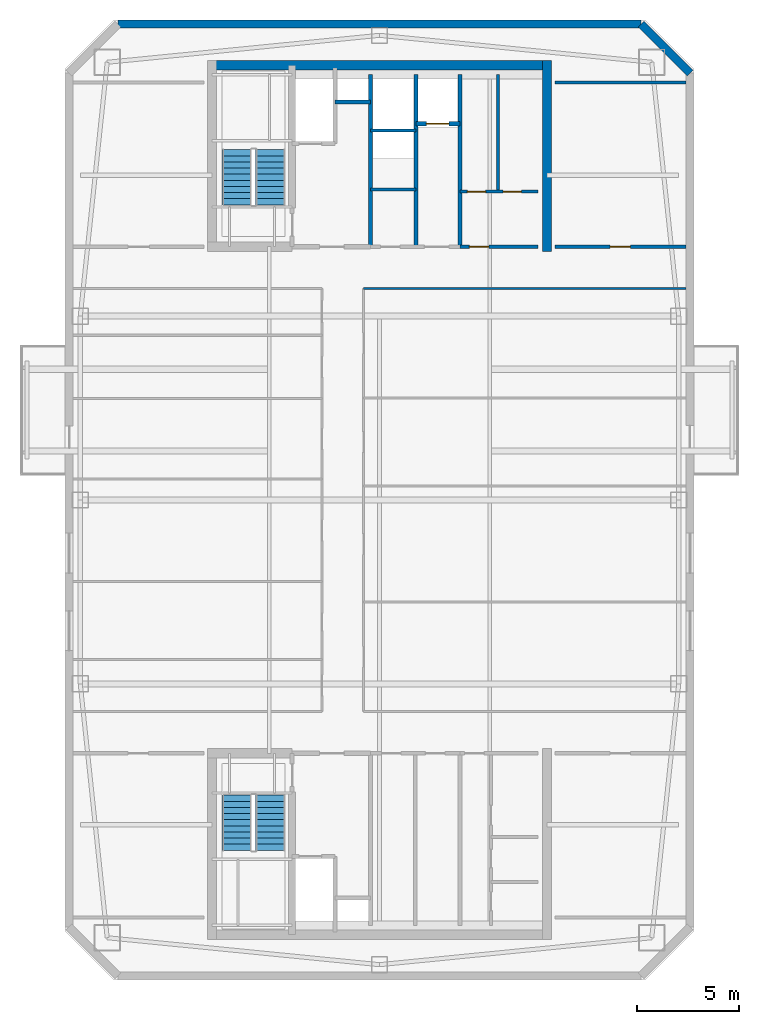
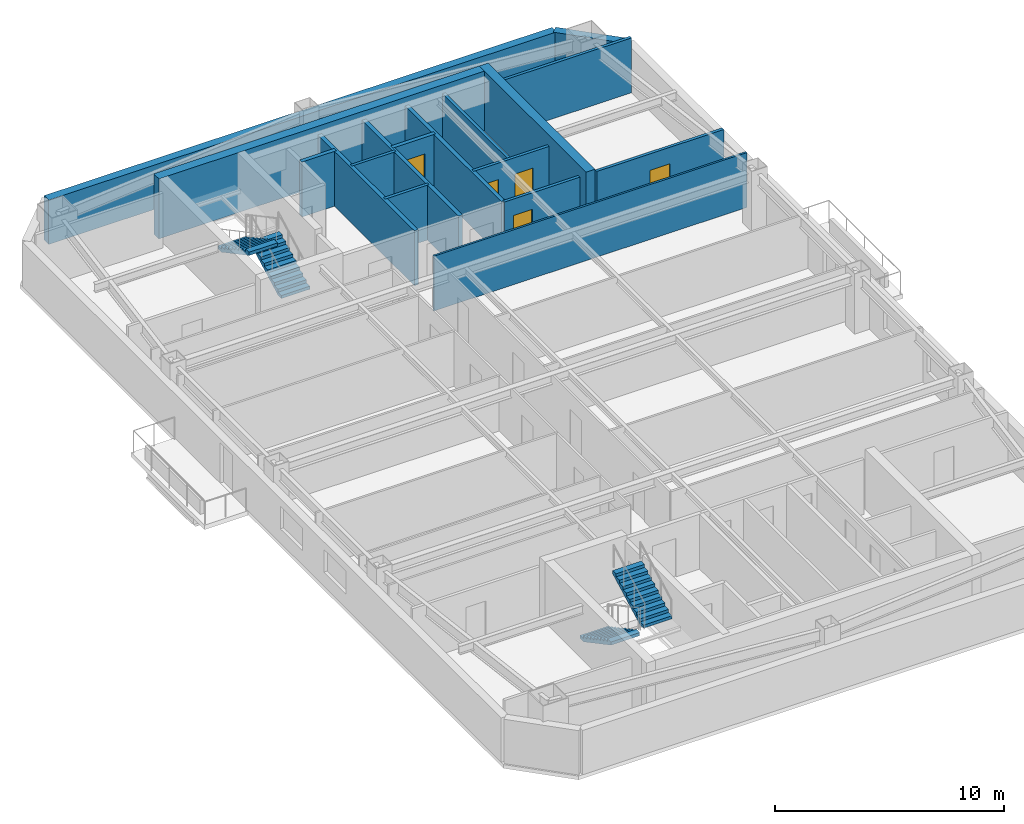
# One storey, part 4 of 6: 17 walls, 5 doors, 4 stair flights, 5 openings, 2 elements without a shape of their own.
"""IFC4 building model written with IfcOpenShell, lengths in metres."""

from ifc_helpers import new_model, si_unit, direction, frame, frame_2d, origin, place, context, subcontext, project, spatial, polyline, rectangle, outline, extrude, material, layer, layer_set, type_object, element, fill, aggregate, save


model = new_model("IFC4")

# Units and contexts
model_context = context("Model", 3, precision=1e-05, world=origin(), true_north=direction((0.0, 1.0)))
body_context = subcontext(model_context, "Body", "Model", "MODEL_VIEW")
ifc_project = project(units=[si_unit("LENGTHUNIT", "METRE"), si_unit("AREAUNIT", "SQUARE_METRE"), si_unit("VOLUMEUNIT", "CUBIC_METRE"), si_unit("PLANEANGLEUNIT", "RADIAN"), si_unit("MASSUNIT", "GRAM", prefix="KILO")], contexts=[model_context])

# Site, building, storey
site_placement = place(None, origin())
site = spatial("IfcSite", under=ifc_project, at=site_placement, CompositionType="ELEMENT")
building_placement = place(site_placement, origin())
building = spatial("IfcBuilding", under=site, at=building_placement, Name="Qiaolan Cultural Towers", CompositionType="ELEMENT")
storey_placement = place(building_placement, frame((0.0, 0.0, 260.0)))
storey = spatial("IfcBuildingStorey", under=building, at=storey_placement, Name="L71", CompositionType="ELEMENT", Elevation=260.0)

# Walls
ifc_material_1 = material(Name="Concrete C50", Category="concrete")
ifc_layer_1 = layer(ifc_material_1, 0.449951171875)
ifc_layer_set_1 = layer_set([ifc_layer_1], Name="Concrete C50")
wall_type_1 = type_object("IfcWallType", Name="WL-CORE-450", PredefinedType="SHEAR", material=ifc_layer_set_1)
wall_1_placement = place(storey_placement, frame((21.574951171875, 55.280029296875, 0.0), z_axis=(0.0, 0.0, 1.0), x_axis=(1.0, 0.0, 0.0)))
element("IfcWall", 1, at=wall_1_placement, inside=storey, type_object=wall_type_1, Name="L71 T1-CN Outer Core Shear Wall", PredefinedType="SHEAR", context=body_context, shape_type="SweptSolid", body=[
    extrude(rectangle(XDim=16.85009765625, YDim=0.449951171875, at=frame_2d((8.425048828125, 0.0))), origin(), (0.0, 0.0, 1.0), 3.199951171875),
])
wall_2_placement = place(storey_placement, frame((38.199951171875, 46.175048828125, 0.0), z_axis=(0.0, 0.0, 1.0), x_axis=(0.0, 1.0, 0.0)))
element("IfcWall", 2, at=wall_2_placement, inside=storey, type_object=wall_type_1, Name="L71 T1-CN East Core Shear Wall", PredefinedType="SHEAR", context=body_context, shape_type="SweptSolid", body=[
    extrude(rectangle(XDim=9.329833984375, YDim=0.449951171875, at=frame_2d((4.6650390625, 0.0))), origin(), (0.0, 0.0, 1.0), 3.199951171875),
])
ifc_material_2 = material(Name="Precast Concrete C50 Honed Stone Pier", Category="masonry")
ifc_layer_2 = layer(ifc_material_2, 0.39990234375)
ifc_layer_set_2 = layer_set([ifc_layer_2], Name="Precast Concrete C50 Honed Stone Pier")
wall_type_2 = type_object("IfcWallType", Name="WL-EXT-PIER-400", PredefinedType="SOLIDWALL", material=ifc_layer_set_2)
wall_3_placement = place(storey_placement, frame((17.199951171875, 57.300048828125, 0.0), z_axis=(0.0, 0.0, 1.0), x_axis=(1.0, 0.0, 0.0)))
element("IfcWall", 3, at=wall_3_placement, inside=storey, type_object=wall_type_2, Name="L71 West Tower Precast Pier Facade Wall F3", PredefinedType="SOLIDWALL", context=body_context, shape_type="SweptSolid", body=[
    extrude(rectangle(XDim=25.60009765625, YDim=0.39990234375, at=frame_2d((12.800048828125, 0.0))), origin(), (0.0, 0.0, 1.0), 2.360107421875),
])
wall_4_placement = place(storey_placement, frame((42.800048828125, 57.300048828125, 0.0), z_axis=(0.0, 0.0, 1.0), x_axis=(0.707070815327, -0.707142745217, 0.0)))
element("IfcWall", 4, at=wall_4_placement, inside=storey, type_object=wall_type_2, Name="L71 West Tower Precast Pier Facade Wall F4", PredefinedType="SOLIDWALL", context=body_context, shape_type="SweptSolid", body=[
    extrude(rectangle(XDim=3.39404296875, YDim=0.39990234375, at=frame_2d((1.697021484375, 0.0))), origin(), (0.0, 0.0, 1.0), 2.360107421875),
])
ifc_material_3 = material(Name="Concrete C35 Fire Wall", Category="concrete")
ifc_layer_3 = layer(ifc_material_3, 0.199951171875)
ifc_layer_set_3 = layer_set([ifc_layer_3], Name="Concrete C35 Fire Wall")
wall_type_3 = type_object("IfcWallType", Name="WL-FIRE-200", PredefinedType="PARTITIONING", material=ifc_layer_set_3)
wall_5_placement = place(storey_placement, frame((29.550048828125, 46.39990234375, 0.0), z_axis=(0.0, 0.0, 1.0), x_axis=(0.0, 1.0, 0.0)))
element("IfcWall", 5, at=wall_5_placement, inside=storey, type_object=wall_type_3, Name="L71 T1-CN Firefighting Zone Wall", PredefinedType="PARTITIONING", context=body_context, shape_type="SweptSolid", body=[
    extrude(rectangle(XDim=8.43017578125, YDim=0.199951171875, at=frame_2d((4.215087890625, 0.0))), origin(), (0.0, 0.0, 1.0), 2.925048828125),
])
wall_6_placement = place(storey_placement, frame((27.820068359375, 53.47998046875, 0.0), z_axis=(0.0, 0.0, 1.0), x_axis=(1.0, 0.0, 0.0)))
element("IfcWall", 6, at=wall_6_placement, inside=storey, type_object=wall_type_3, Name="L71 T1-CN Pressurization Shaft Front Wall", PredefinedType="PARTITIONING", context=body_context, shape_type="SweptSolid", body=[
    extrude(rectangle(XDim=1.72998046875, YDim=0.199951171875, at=frame_2d((0.864990234375, 0.0))), origin(), (0.0, 0.0, 1.0), 2.925048828125),
])
for number, where, z_axis, x_axis, name in (
    (7, (33.949951171875, 46.39990234375, 0.0), (0.0, 0.0, 1.0), (0.0, 1.0, 0.0), "L71 T1-CN Lift Core East Wall"),
    (8, (31.780029296875, 46.39990234375, 0.0), (0.0, 0.0, 1.0), (0.0, 1.0, 0.0), "L71 T1-CN Sky Shuttle Lift Zone Wall"),
):
    element("IfcWall", number, at=place(storey_placement, frame(where, z_axis=z_axis, x_axis=x_axis)), inside=storey, type_object=wall_type_3, Name=name, PredefinedType="PARTITIONING", context=body_context, shape_type="SweptSolid", body=[
        extrude(rectangle(XDim=8.43017578125, YDim=0.199951171875, at=frame_2d((4.215087890625, 0.0))), origin(), (0.0, 0.0, 1.0), 2.925048828125),
    ])

# Wall, opening, door
wall_7_placement = place(storey_placement, frame((31.780029296875, 52.419921875, 0.0), z_axis=(0.0, 0.0, 1.0), x_axis=(1.0, 0.0, 0.0)))
wall_7 = element("IfcWall", 9, at=wall_7_placement, inside=storey, type_object=wall_type_3, Name="L71 T1-CN Shuttle Lift Shaft Front", PredefinedType="PARTITIONING", context=body_context, shape_type="SweptSolid", body=[
    extrude(rectangle(XDim=2.169921875, YDim=0.199951171875, at=frame_2d((1.0849609375, 0.0))), origin(), (0.0, 0.0, 1.0), 2.925048828125),
])
opening_1_placement = place(wall_7_placement, frame((0.52001953125, 0.0, 0.0)))
opening_1 = element("IfcOpeningElement", 10, at=opening_1_placement, cuts=wall_7, Name="Opening LD-01", PredefinedType="OPENING", context=body_context, shape_type="SweptSolid", body=[
    extrude(rectangle(XDim=1.10009765625, YDim=2.050048828125, at=frame_2d((0.550048828125, 1.02490234375))), frame((0.0, 0.10986328125, 0.0), z_axis=(0.0, -1.0, 0.0), x_axis=(1.0, 0.0, 0.0)), (0.0, 0.0, 1.0), 0.219970703125),
])
ifc_material_4 = material(Name="Brushed Stainless Steel S30408 Centre-Parting Lift Landing Door", Category="steel")
door_type_1 = type_object("IfcDoorType", Name="DR-LIFT-1100", OperationType="NOTDEFINED", PredefinedType="DOOR", material=ifc_material_4)
door_1_placement = place(opening_1_placement, origin())
door_1 = element("IfcDoor", 11, at=door_1_placement, inside=storey, type_object=door_type_1, Name="L71 Sky Shuttle Lift Landing Door", OperationType="DOUBLE_DOOR_SLIDING", OverallHeight=2.050048828125, OverallWidth=1.10009765625, PredefinedType="DOOR", context=body_context, shape_type="SweptSolid", body=[
    extrude(rectangle(XDim=1.10009765625, YDim=2.050048828125, at=frame_2d((0.550048828125, 1.02490234375))), frame((0.0, 0.02490234375, 0.0), z_axis=(0.0, -1.0, 0.0), x_axis=(1.0, 0.0, 0.0)), (0.0, 0.0, 1.0), 0.050048828125),
])
fill(opening_1, door_1)

# Walls
ifc_material_5 = material(Name="Acoustic Double-Glazed Partition Frame", Category="glass")
ifc_layer_4 = layer(ifc_material_5, 0.10009765625)
ifc_layer_set_4 = layer_set([ifc_layer_4], Name="Acoustic Double-Glazed Partition Frame")
wall_type_4 = type_object("IfcWallType", Name="WL-GLAZED-100", PredefinedType="MOVABLE", material=ifc_layer_set_4)
wall_8_placement = place(storey_placement, frame((29.22509765625, 44.35009765625, 0.0), z_axis=(0.0, 0.0, 1.0), x_axis=(1.0, 0.0, 0.0)))
element("IfcWall", 12, at=wall_8_placement, inside=storey, type_object=wall_type_4, Name="L71 T1 North Corridor Right Wall", PredefinedType="MOVABLE", context=body_context, shape_type="SweptSolid", body=[
    extrude(rectangle(XDim=15.77490234375, YDim=0.10009765625, at=frame_2d((7.887451171875, 0.0))), origin(), (0.0, 0.0, 1.0), 2.925048828125),
])
ifc_material_6 = material(Name="Autoclaved Aerated Concrete Block B06", Category="concrete")
ifc_layer_5 = layer(ifc_material_6, 0.14990234375)
ifc_layer_set_5 = layer_set([ifc_layer_5], Name="Autoclaved Aerated Concrete Block B06")
wall_type_5 = type_object("IfcWallType", Name="WL-PART-150", PredefinedType="PARTITIONING", material=ifc_layer_set_5)
for number, where, z_axis, x_axis, name in (
    (13, (29.550048828125, 49.199951171875, 0.0), (0.0, 0.0, 1.0), (1.0, 0.0, 0.0), "L71 T1-CN High-Zone Reclaimed Split 1"),
    (14, (29.550048828125, 52.10009765625, 0.0), (0.0, 0.0, 1.0), (1.0, 0.0, 0.0), "L71 T1-CN High-Zone Reclaimed Split 2"),
):
    element("IfcWall", number, at=place(storey_placement, frame(where, z_axis=z_axis, x_axis=x_axis)), inside=storey, type_object=wall_type_5, Name=name, PredefinedType="PARTITIONING", context=body_context, shape_type="SweptSolid", body=[
        extrude(rectangle(XDim=2.22998046875, YDim=0.14990234375, at=frame_2d((1.114990234375, 0.0))), origin(), (0.0, 0.0, 1.0), 2.925048828125),
    ])

# Wall, opening, door
wall_9_placement = place(storey_placement, frame((33.949951171875, 46.39990234375, 0.0), z_axis=(0.0, 0.0, 1.0), x_axis=(1.0, 0.0, 0.0)))
wall_9 = element("IfcWall", 15, at=wall_9_placement, inside=storey, type_object=wall_type_5, Name="L71 T1-CN Sanitary Core Front Wall", PredefinedType="PARTITIONING", context=body_context, shape_type="SweptSolid", body=[
    extrude(rectangle(XDim=3.800048828125, YDim=0.14990234375, at=frame_2d((1.89990234375, 0.0))), origin(), (0.0, 0.0, 1.0), 2.925048828125),
])
opening_2_placement = place(wall_9_placement, frame((0.449951171875, 0.0, 0.0)))
opening_2 = element("IfcOpeningElement", 16, at=opening_2_placement, cuts=wall_9, Name="Opening ID-05", PredefinedType="OPENING", context=body_context, shape_type="SweptSolid", body=[
    extrude(rectangle(XDim=0.949951171875, YDim=2.050048828125, at=frame_2d((0.47509765625, 1.02490234375))), frame((0.0, 0.0849609375, 0.0), z_axis=(0.0, -1.0, 0.0), x_axis=(1.0, 0.0, 0.0)), (0.0, 0.0, 1.0), 0.169921875),
])
ifc_material_7 = material(Name="Fire-Rated Laminate Accessible Core Door", Category="timber")
door_type_2 = type_object("IfcDoorType", Name="DR-INT-950", OperationType="NOTDEFINED", PredefinedType="DOOR", material=ifc_material_7)
door_2_placement = place(opening_2_placement, origin())
door_2 = element("IfcDoor", 17, at=door_2_placement, inside=storey, type_object=door_type_2, Name="L71 Sanitary Vestibule Door", OperationType="SINGLE_SWING_LEFT", OverallHeight=2.050048828125, OverallWidth=0.949951171875, PredefinedType="DOOR", context=body_context, shape_type="SweptSolid", body=[
    extrude(rectangle(XDim=0.949951171875, YDim=2.050048828125, at=frame_2d((0.47509765625, 1.02490234375))), frame((0.0, 0.02490234375, 0.0), z_axis=(0.0, -1.0, 0.0), x_axis=(1.0, 0.0, 0.0)), (0.0, 0.0, 1.0), 0.050048828125),
])
fill(opening_2, door_2)

# Wall, openings, doors
wall_10_placement = place(storey_placement, frame((33.949951171875, 49.10009765625, 0.0), z_axis=(0.0, 0.0, 1.0), x_axis=(1.0, 0.0, 0.0)))
wall_10 = element("IfcWall", 18, at=wall_10_placement, inside=storey, type_object=wall_type_5, Name="L71 T1-CN Restroom Vestibule Wall", PredefinedType="PARTITIONING", context=body_context, shape_type="SweptSolid", body=[
    extrude(rectangle(XDim=3.800048828125, YDim=0.14990234375, at=frame_2d((1.89990234375, 0.0))), origin(), (0.0, 0.0, 1.0), 2.925048828125),
])
opening_3_placement = place(wall_10_placement, frame((0.35009765625, 0.0, 0.0)))
opening_3 = element("IfcOpeningElement", 19, at=opening_3_placement, cuts=wall_10, Name="Opening ID-06", PredefinedType="OPENING", context=body_context, shape_type="SweptSolid", body=[
    extrude(rectangle(XDim=0.89990234375, YDim=2.050048828125, at=frame_2d((0.449951171875, 1.02490234375))), frame((0.0, 0.0849609375, 0.0), z_axis=(0.0, -1.0, 0.0), x_axis=(1.0, 0.0, 0.0)), (0.0, 0.0, 1.0), 0.169921875),
])
opening_4_placement = place(wall_10_placement, frame((2.10009765625, 0.0, 0.0)))
opening_4 = element("IfcOpeningElement", 20, at=opening_4_placement, cuts=wall_10, Name="Opening ID-06", PredefinedType="OPENING", context=body_context, shape_type="SweptSolid", body=[
    extrude(rectangle(XDim=0.89990234375, YDim=2.050048828125, at=frame_2d((0.449951171875, 1.02490234375))), frame((0.0, 0.0849609375, 0.0), z_axis=(0.0, -1.0, 0.0), x_axis=(1.0, 0.0, 0.0)), (0.0, 0.0, 1.0), 0.169921875),
])
ifc_material_8 = material(Name="Fire-Rated Laminate Core Service Door", Category="timber")
door_type_3 = type_object("IfcDoorType", Name="DR-INT-900", OperationType="NOTDEFINED", PredefinedType="DOOR", material=ifc_material_8)
door_3_placement = place(opening_3_placement, origin())
door_3 = element("IfcDoor", 21, at=door_3_placement, inside=storey, type_object=door_type_3, Name="L71 Men Restroom Door", OperationType="SINGLE_SWING_LEFT", OverallHeight=2.050048828125, OverallWidth=0.89990234375, PredefinedType="DOOR", context=body_context, shape_type="SweptSolid", body=[
    extrude(rectangle(XDim=0.89990234375, YDim=2.050048828125, at=frame_2d((0.449951171875, 1.02490234375))), frame((0.0, 0.02490234375, 0.0), z_axis=(0.0, -1.0, 0.0), x_axis=(1.0, 0.0, 0.0)), (0.0, 0.0, 1.0), 0.050048828125),
])
fill(opening_3, door_3)
door_4_placement = place(opening_4_placement, origin())
door_4 = element("IfcDoor", 22, at=door_4_placement, inside=storey, type_object=door_type_3, Name="L71 Accessible & Women Restroom Door", OperationType="SINGLE_SWING_RIGHT", OverallHeight=2.050048828125, OverallWidth=0.89990234375, PredefinedType="DOOR", context=body_context, shape_type="SweptSolid", body=[
    extrude(rectangle(XDim=0.89990234375, YDim=2.050048828125, at=frame_2d((0.449951171875, 1.02490234375))), frame((0.0, 0.02490234375, 0.0), z_axis=(0.0, -1.0, 0.0), x_axis=(1.0, 0.0, 0.0)), (0.0, 0.0, 1.0), 0.050048828125),
])
fill(opening_4, door_4)

# Walls
wall_11_placement = place(storey_placement, frame((35.800048828125, 49.10009765625, 0.0), z_axis=(0.0, 0.0, 1.0), x_axis=(0.0, 1.0, 0.0)))
element("IfcWall", 23, at=wall_11_placement, inside=storey, type_object=wall_type_5, Name="L71 T1-CN Restroom Divider Wall", PredefinedType="PARTITIONING", context=body_context, shape_type="SweptSolid", body=[
    extrude(rectangle(XDim=5.72998046875, YDim=0.14990234375, at=frame_2d((2.864990234375, 0.0))), origin(), (0.0, 0.0, 1.0), 2.925048828125),
])
wall_12_placement = place(storey_placement, frame((38.60009765625, 54.449951171875, 0.0), z_axis=(0.0, 0.0, 1.0), x_axis=(1.0, 0.0, 0.0)))
element("IfcWall", 24, at=wall_12_placement, inside=storey, type_object=wall_type_5, Name="L71 T1 Flank Wall FLK-NE", PredefinedType="PARTITIONING", context=body_context, shape_type="SweptSolid", body=[
    extrude(rectangle(XDim=6.39990234375, YDim=0.14990234375, at=frame_2d((3.199951171875, 0.0))), origin(), (0.0, 0.0, 1.0), 2.925048828125),
])

# Wall, opening, door
wall_13_placement = place(storey_placement, frame((38.60009765625, 46.39990234375, 0.0), z_axis=(0.0, 0.0, 1.0), x_axis=(1.0, 0.0, 0.0)))
wall_13 = element("IfcWall", 25, at=wall_13_placement, inside=storey, type_object=wall_type_5, Name="L71 T1 Flank Front FLK-NE", PredefinedType="PARTITIONING", context=body_context, shape_type="SweptSolid", body=[
    extrude(rectangle(XDim=6.39990234375, YDim=0.14990234375, at=frame_2d((3.199951171875, 0.0))), origin(), (0.0, 0.0, 1.0), 2.925048828125),
])
opening_5_placement = place(wall_13_placement, frame((2.68798828125, 0.0, 0.0)))
opening_5 = element("IfcOpeningElement", 26, at=opening_5_placement, cuts=wall_13, Name="Opening ID-04", PredefinedType="OPENING", context=body_context, shape_type="SweptSolid", body=[
    extrude(rectangle(XDim=1.0, YDim=2.050048828125, at=frame_2d((0.5, 1.02490234375))), frame((0.0, 0.0849609375, 0.0), z_axis=(0.0, -1.0, 0.0), x_axis=(1.0, 0.0, 0.0)), (0.0, 0.0, 1.0), 0.169921875),
])
ifc_material_9 = material(Name="Oak Veneer Acoustic Office Door", Category="timber")
door_type_4 = type_object("IfcDoorType", Name="DR-INT-1000", OperationType="NOTDEFINED", PredefinedType="DOOR", material=ifc_material_9)
door_5_placement = place(opening_5_placement, origin())
door_5 = element("IfcDoor", 27, at=door_5_placement, inside=storey, type_object=door_type_4, Name="L71 T1 Corner Studio Door", OperationType="SINGLE_SWING_LEFT", OverallHeight=2.050048828125, OverallWidth=1.0, PredefinedType="DOOR", context=body_context, shape_type="SweptSolid", body=[
    extrude(rectangle(XDim=1.0, YDim=2.050048828125, at=frame_2d((0.5, 1.02490234375))), frame((0.0, 0.02490234375, 0.0), z_axis=(0.0, -1.0, 0.0), x_axis=(1.0, 0.0, 0.0)), (0.0, 0.0, 1.0), 0.050048828125),
])
fill(opening_5, door_5)

# Stair, stair flights
ifc_material_10 = material(Name="Concrete C45", Category="concrete")
stair_type = type_object("IfcStairType", Name="STR-CORE-1500", PredefinedType="HALF_TURN_STAIR", material=ifc_material_10)
stair_1_placement = place(storey_placement, origin())
stair_1 = element("IfcStair", 28, at=stair_1_placement, inside=storey, type_object=stair_type, Name="L71 Smokeproof Exit Stair ST-W1", PredefinedType="HALF_TURN_STAIR")
ifc_material_11 = material(Name="Concrete C45", Category="concrete")
stair_flight_type = type_object("IfcStairFlightType", Name="STR-CORE-1500-FL", PredefinedType="STRAIGHT", material=ifc_material_11)
stair_flight_1_placement = place(storey_placement, frame((23.02001953125, 19.550048828125, 0.0), z_axis=(0.0, 0.0, 1.0), x_axis=(0.0, -1.0, 0.0)))
stair_flight_1 = element("IfcStairFlight", 29, at=stair_flight_1_placement, type_object=stair_flight_type, Name="ST-W1 flight 1", NumberOfRisers=10, NumberOfTreads=9, PredefinedType="STRAIGHT", RiserHeight=0.16, TreadLength=0.3, context=body_context, shape_type="SweptSolid", body=[
    extrude(outline(polyline([(0.0, 0.0), (0.0, 0.159912109375), (0.300048828125, 0.159912109375), (0.300048828125, 0.320068359375), (0.60009765625, 0.320068359375), (0.60009765625, 0.47998046875), (0.89990234375, 0.47998046875), (0.89990234375, 0.639892578125), (1.199951171875, 0.639892578125), (1.199951171875, 0.800048828125), (1.5, 0.800048828125), (1.5, 0.9599609375), (1.800048828125, 0.9599609375), (1.800048828125, 1.1201171875), (2.10009765625, 1.1201171875), (2.10009765625, 1.280029296875), (2.39990234375, 1.280029296875), (2.39990234375, 1.43994140625), (2.699951171875, 1.43994140625), (2.699951171875, 1.60009765625), (2.699951171875, 1.27001953125), (0.318603515625, 0.0), (0.0, 0.0)])), frame((0.0, 0.719970703125, 0.0), z_axis=(0.0, -1.0, 0.0), x_axis=(1.0, 0.0, 0.0)), (0.0, 0.0, 1.0), 1.43994140625),
])
stair_flight_2_placement = place(storey_placement, frame((24.659912109375, 16.85009765625, 1.60009765625), z_axis=(0.0, 0.0, 1.0), x_axis=(0.0, 1.0, 0.0)))
stair_flight_2 = element("IfcStairFlight", 30, at=stair_flight_2_placement, type_object=stair_flight_type, Name="ST-W1 flight 2", NumberOfRisers=10, NumberOfTreads=9, PredefinedType="STRAIGHT", RiserHeight=0.16, TreadLength=0.3, context=body_context, shape_type="SweptSolid", body=[
    extrude(outline(polyline([(0.0, 0.0), (0.0, 0.159912109375), (0.300048828125, 0.159912109375), (0.300048828125, 0.320068359375), (0.60009765625, 0.320068359375), (0.60009765625, 0.47998046875), (0.89990234375, 0.47998046875), (0.89990234375, 0.639892578125), (1.199951171875, 0.639892578125), (1.199951171875, 0.800048828125), (1.5, 0.800048828125), (1.5, 0.9599609375), (1.800048828125, 0.9599609375), (1.800048828125, 1.1201171875), (2.10009765625, 1.1201171875), (2.10009765625, 1.280029296875), (2.39990234375, 1.280029296875), (2.39990234375, 1.43994140625), (2.699951171875, 1.43994140625), (2.699951171875, 1.60009765625), (2.699951171875, 1.27001953125), (0.318603515625, 0.0), (0.0, 0.0)])), frame((0.0, 0.719970703125, 0.0), z_axis=(0.0, -1.0, 0.0), x_axis=(1.0, 0.0, 0.0)), (0.0, 0.0, 1.0), 1.43994140625),
])
aggregate(stair_1, [stair_flight_1, stair_flight_2])

stair_2_placement = place(storey_placement, origin())
stair_2 = element("IfcStair", 31, at=stair_2_placement, inside=storey, type_object=stair_type, Name="L71 Smokeproof Exit Stair ST-W2", PredefinedType="HALF_TURN_STAIR")
stair_flight_3_placement = place(storey_placement, frame((24.659912109375, 48.449951171875, 0.0), z_axis=(0.0, 0.0, 1.0), x_axis=(0.0, 1.0, 0.0)))
stair_flight_3 = element("IfcStairFlight", 32, at=stair_flight_3_placement, type_object=stair_flight_type, Name="ST-W2 flight 1", NumberOfRisers=10, NumberOfTreads=9, PredefinedType="STRAIGHT", RiserHeight=0.16, TreadLength=0.3, context=body_context, shape_type="SweptSolid", body=[
    extrude(outline(polyline([(0.0, 0.0), (0.0, 0.159912109375), (0.300048828125, 0.159912109375), (0.300048828125, 0.320068359375), (0.60009765625, 0.320068359375), (0.60009765625, 0.47998046875), (0.89990234375, 0.47998046875), (0.89990234375, 0.639892578125), (1.199951171875, 0.639892578125), (1.199951171875, 0.800048828125), (1.5, 0.800048828125), (1.5, 0.9599609375), (1.800048828125, 0.9599609375), (1.800048828125, 1.1201171875), (2.10009765625, 1.1201171875), (2.10009765625, 1.280029296875), (2.39990234375, 1.280029296875), (2.39990234375, 1.43994140625), (2.699951171875, 1.43994140625), (2.699951171875, 1.60009765625), (2.699951171875, 1.27001953125), (0.318603515625, 0.0), (0.0, 0.0)])), frame((0.0, 0.719970703125, 0.0), z_axis=(0.0, -1.0, 0.0), x_axis=(1.0, 0.0, 0.0)), (0.0, 0.0, 1.0), 1.43994140625),
])
stair_flight_4_placement = place(storey_placement, frame((23.02001953125, 51.14990234375, 1.60009765625), z_axis=(0.0, 0.0, 1.0), x_axis=(0.0, -1.0, 0.0)))
stair_flight_4 = element("IfcStairFlight", 33, at=stair_flight_4_placement, type_object=stair_flight_type, Name="ST-W2 flight 2", NumberOfRisers=10, NumberOfTreads=9, PredefinedType="STRAIGHT", RiserHeight=0.16, TreadLength=0.3, context=body_context, shape_type="SweptSolid", body=[
    extrude(outline(polyline([(0.0, 0.0), (0.0, 0.159912109375), (0.300048828125, 0.159912109375), (0.300048828125, 0.320068359375), (0.60009765625, 0.320068359375), (0.60009765625, 0.47998046875), (0.89990234375, 0.47998046875), (0.89990234375, 0.639892578125), (1.199951171875, 0.639892578125), (1.199951171875, 0.800048828125), (1.5, 0.800048828125), (1.5, 0.9599609375), (1.800048828125, 0.9599609375), (1.800048828125, 1.1201171875), (2.10009765625, 1.1201171875), (2.10009765625, 1.280029296875), (2.39990234375, 1.280029296875), (2.39990234375, 1.43994140625), (2.699951171875, 1.43994140625), (2.699951171875, 1.60009765625), (2.699951171875, 1.27001953125), (0.318603515625, 0.0), (0.0, 0.0)])), frame((0.0, 0.719970703125, 0.0), z_axis=(0.0, -1.0, 0.0), x_axis=(1.0, 0.0, 0.0)), (0.0, 0.0, 1.0), 1.43994140625),
])
aggregate(stair_2, [stair_flight_3, stair_flight_4])

save(model, "model.ifc")
